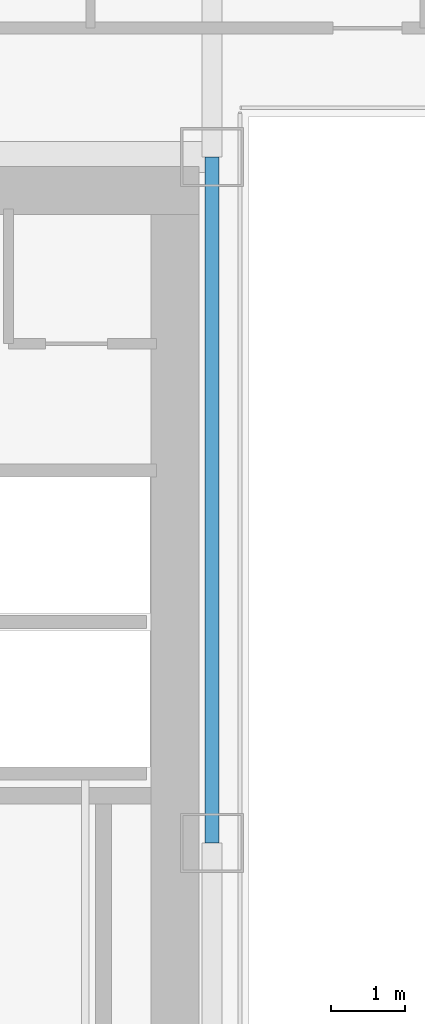
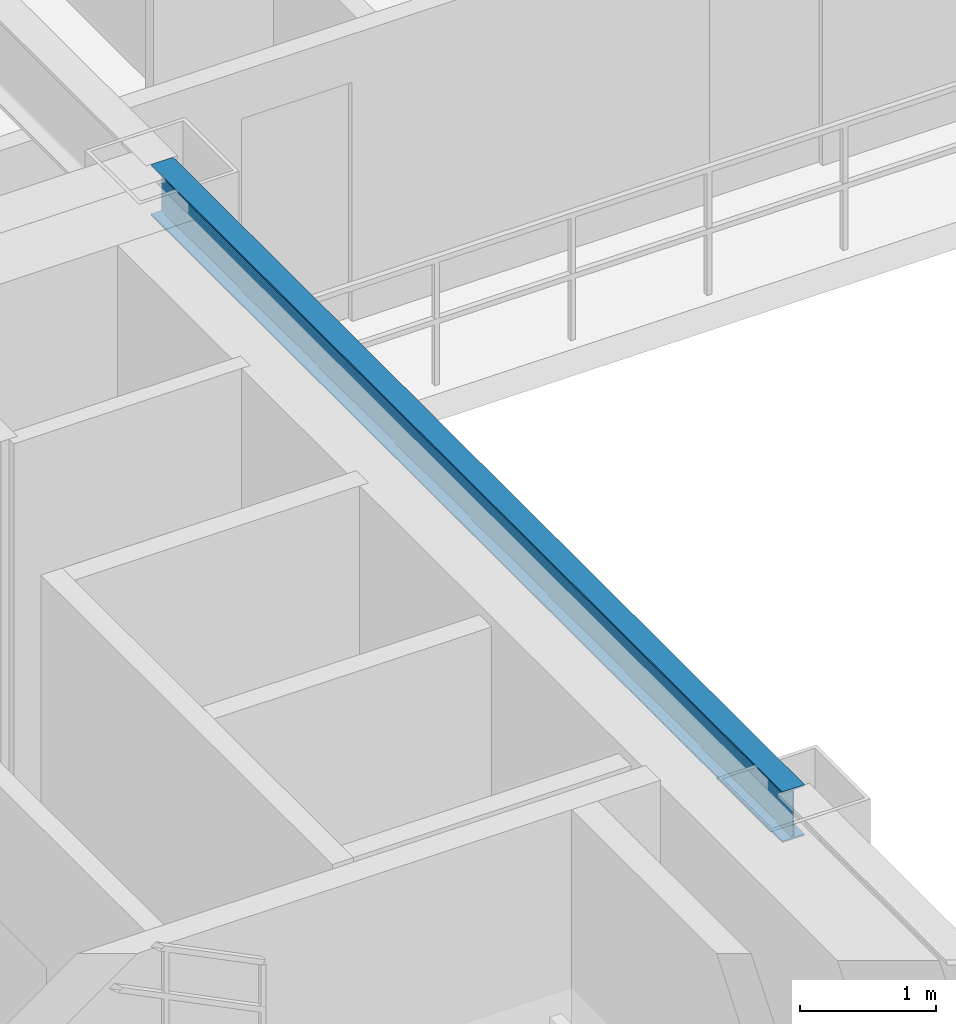
# One storey, part 9 of 35: 1 beam.
"""IFC4 building model written with IfcOpenShell, lengths in metres."""

from ifc_helpers import new_model, si_unit, direction, frame, origin, origin_2d, place, context, subcontext, project, spatial, i_section, extrude, source, transform, mapped, material, material_profile, profile_set, type_object, element, save


model = new_model("IFC4")

# Units and contexts
model_context = context("Model", 3, precision=1e-05, world=origin(), true_north=direction((0.0, 1.0)))
body_context = subcontext(model_context, "Body", "Model", "MODEL_VIEW")
ifc_project = project(units=[si_unit("LENGTHUNIT", "METRE"), si_unit("AREAUNIT", "SQUARE_METRE"), si_unit("VOLUMEUNIT", "CUBIC_METRE"), si_unit("PLANEANGLEUNIT", "RADIAN"), si_unit("MASSUNIT", "GRAM", prefix="KILO")], contexts=[model_context])

# Site, building, storey
site_placement = place(None, origin())
site = spatial("IfcSite", under=ifc_project, at=site_placement, CompositionType="ELEMENT")
building_placement = place(site_placement, origin())
building = spatial("IfcBuilding", under=site, at=building_placement, Name="Ocotamira Hotel", CompositionType="ELEMENT")
storey_placement = place(building_placement, frame((0.0, 0.0, 118.800048828125)))
storey = spatial("IfcBuildingStorey", under=building, at=storey_placement, Name="L29", CompositionType="ELEMENT", Elevation=118.800048828125)

# Beam
ifc_material = material(Name="Steel ASTM A992 Grade 50", Category="steel")
ifc_material_profile = material_profile(ifc_material, i_section(OverallWidth=0.18994140625, OverallDepth=0.45703125, WebThickness=0.009033203125, FlangeThickness=0.014404296875, FilletRadius=0.010009765625, at=origin_2d()), Name="W18X50")
ifc_profile_set = profile_set([ifc_material_profile], Name="Steel ASTM A992 Grade 50")
beam_type = type_object("IfcBeamType", Name="BM-SEC-W18X50", PredefinedType="JOIST", material=ifc_profile_set)
shared_shape = source(origin(), body_context, "Body", "SweptSolid", [
    extrude(i_section(OverallWidth=0.18994140625, OverallDepth=0.45703125, WebThickness=0.009033203125, FlangeThickness=0.014404296875, FilletRadius=0.010009765625, at=origin_2d()), origin(), (0.0, 0.0, 1.0), 9.300048828125),
])
beam_placement = place(storey_placement, frame((23.5, 28.14990234375, 3.13134765625), z_axis=(0.0, 1.0, 0.0), x_axis=(-1.0, 0.0, 0.0)))
element("IfcBeam", 1, at=beam_placement, inside=storey, type_object=beam_type, Name="L29 Beam X23.5 Y28.15-37.45", PredefinedType="JOIST", context=body_context, shape_type="MappedRepresentation", body=[
    mapped(shared_shape, transform((0.0, 0.0, 0.0), scale=1.0)),
])

save(model, "model.ifc")
